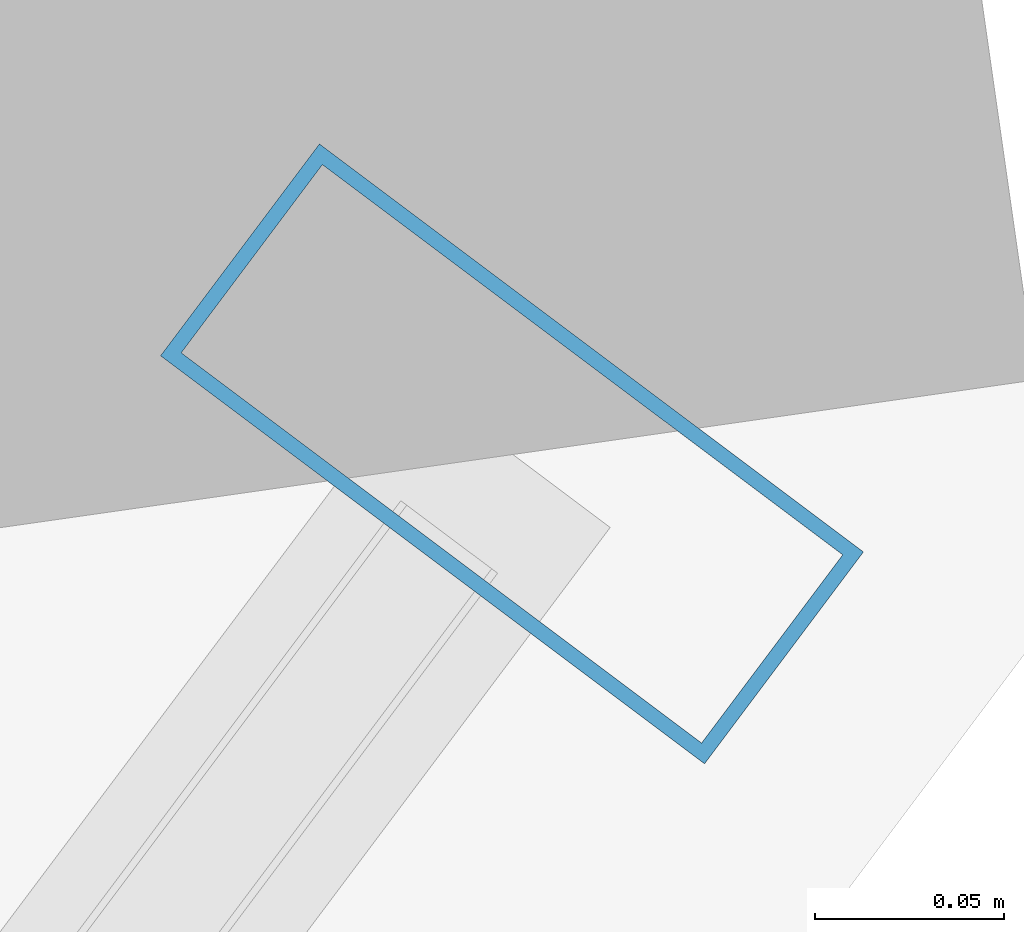
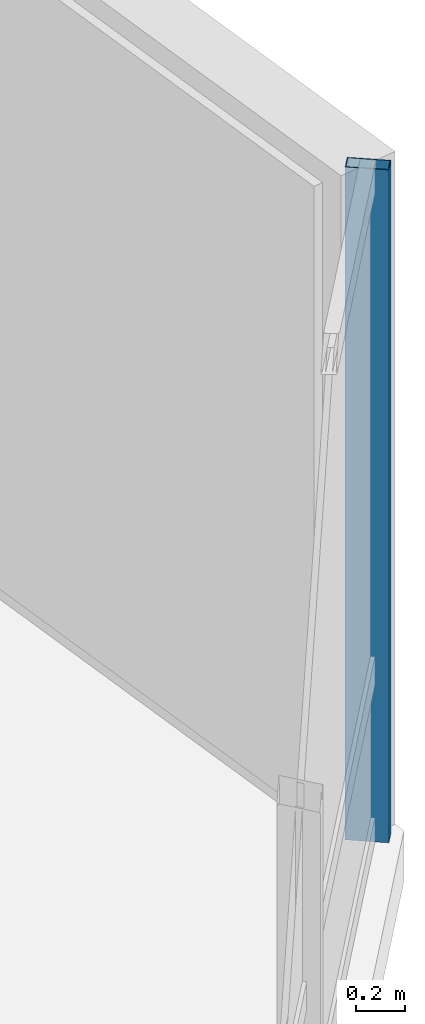
# One storey, part 12 of 29: 1 member, 1 element without a shape of its own.
"""IFC4 building model written with IfcOpenShell, lengths in metres."""

from ifc_helpers import new_model, si_unit, direction, frame, origin, origin_2d, place, context, subcontext, project, spatial, hollow_rectangle, extrude, material, layer, layer_set, material_profile, profile_set, type_object, element, aggregate, save


model = new_model("IFC4")

# Units and contexts
model_context = context("Model", 3, precision=1e-05, world=origin(), true_north=direction((0.0, 1.0)))
body_context = subcontext(model_context, "Body", "Model", "MODEL_VIEW")
ifc_project = project(units=[si_unit("LENGTHUNIT", "METRE"), si_unit("AREAUNIT", "SQUARE_METRE"), si_unit("VOLUMEUNIT", "CUBIC_METRE"), si_unit("PLANEANGLEUNIT", "RADIAN"), si_unit("MASSUNIT", "GRAM", prefix="KILO")], contexts=[model_context])

# Site, building, storey
site_placement = place(None, origin())
site = spatial("IfcSite", under=ifc_project, at=site_placement, CompositionType="ELEMENT")
building_placement = place(site_placement, origin())
building = spatial("IfcBuilding", under=site, at=building_placement, Name="Hatsunagi Terrace Concourse", CompositionType="ELEMENT")
storey_placement = place(building_placement, frame((0.0, 0.0, 126.449951171875)))
storey = spatial("IfcBuildingStorey", under=building, at=storey_placement, Name="L33", CompositionType="ELEMENT", Elevation=126.449951171875)

# Curtain wall, member
ifc_material_1 = material(Name="Anodised Aluminium Alloy 6063-T5", Category="aluminium")
ifc_layer = layer(ifc_material_1, 0.199951171875)
ifc_layer_set = layer_set([ifc_layer], Name="OfficeZone1_CW03")
curtain_wall_type = type_object("IfcCurtainWallType", Name="OfficeZone1_CW03", PredefinedType="NOTDEFINED", material=ifc_layer_set)
curtain_wall_placement = place(storey_placement, origin())
curtain_wall = element("IfcCurtainWall", 1, at=curtain_wall_placement, inside=storey, type_object=curtain_wall_type, Name="Unitised Curtain Wall CW-03 CW-L33-03", PredefinedType="NOTDEFINED")
ifc_material_2 = material(Name="Anodised Aluminium Alloy 6063-T5", Category="aluminium")
ifc_material_profile = material_profile(ifc_material_2, hollow_rectangle(XDim=0.070068359375, YDim=0.179931640625, WallThickness=0.00390625, at=origin_2d()), Name="ALU-MUL-180x70x4")
ifc_profile_set = profile_set([ifc_material_profile], Name="Anodised Aluminium Alloy 6063-T5")
member_type = type_object("IfcMemberType", Name="CurtainWallMullion_180x70", PredefinedType="MULLION", material=ifc_profile_set)
member_placement = place(storey_placement, frame((69.093017578125, 19.657958984375, 0.0), z_axis=(0.0, 0.0, 1.0), x_axis=(-0.599969314634, -0.800023013105, 0.0)))
member = element("IfcMember", 2, at=member_placement, type_object=member_type, Name="Curtain Wall Mullion MUL-02", PredefinedType="MULLION", context=body_context, shape_type="SweptSolid", body=[
    extrude(hollow_rectangle(XDim=0.070068359375, YDim=0.179931640625, WallThickness=0.00390625, at=origin_2d()), origin(), (0.0, 0.0, 1.0), 3.340087890625),
])
aggregate(curtain_wall, [member])

save(model, "model.ifc")
